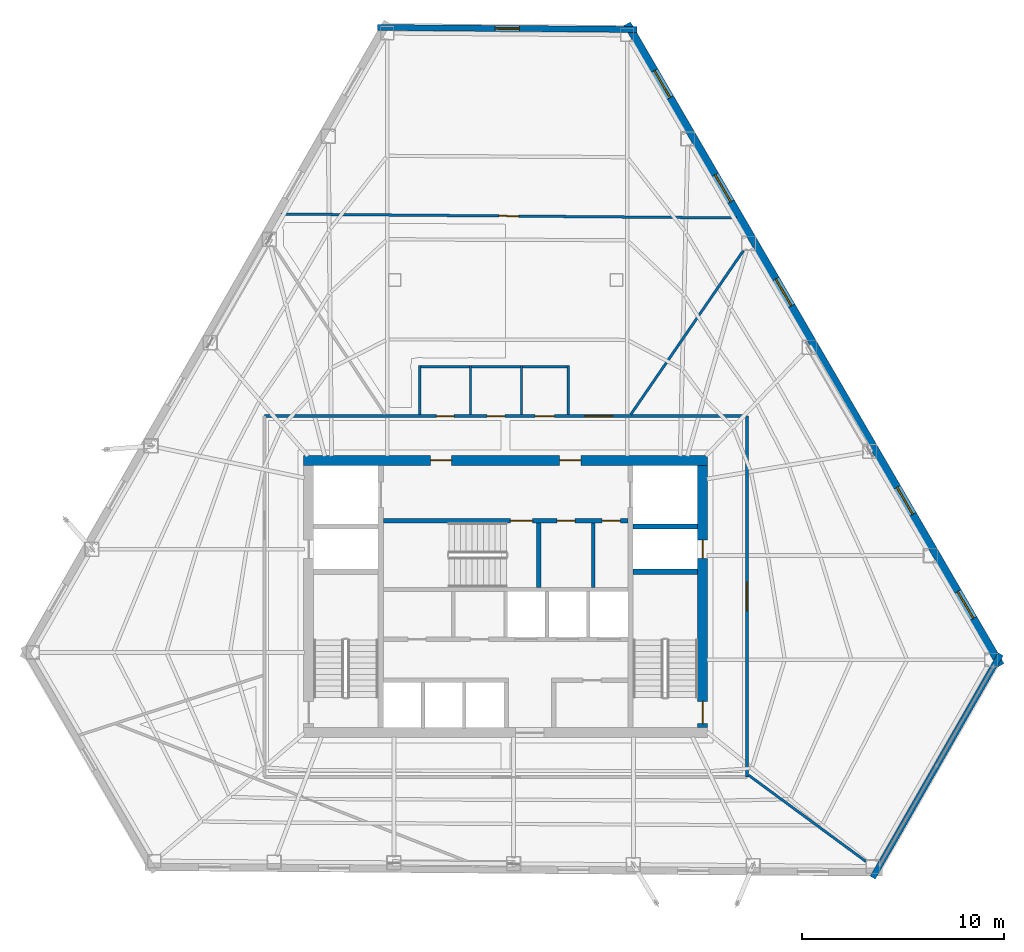
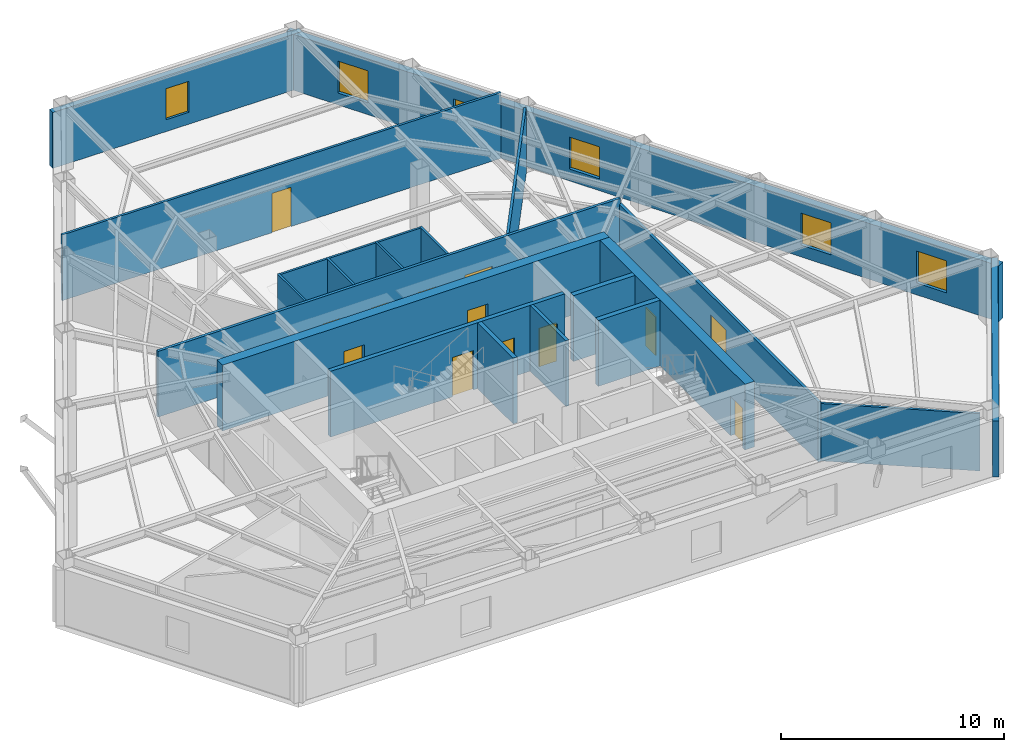
# One storey, part 10 of 13: 20 walls, 13 doors, 6 windows, 19 openings.
"""IFC4 building model written with IfcOpenShell, lengths in metres."""

from ifc_helpers import new_model, si_unit, direction, frame, frame_2d, origin, place, context, subcontext, project, spatial, rectangle, extrude, material, layer, layer_set, type_object, element, fill, save


model = new_model("IFC4")

# Units and contexts
model_context = context("Model", 3, precision=1e-05, world=origin(), true_north=direction((0.0, 1.0)))
body_context = subcontext(model_context, "Body", "Model", "MODEL_VIEW")
ifc_project = project(units=[si_unit("LENGTHUNIT", "METRE"), si_unit("AREAUNIT", "SQUARE_METRE"), si_unit("VOLUMEUNIT", "CUBIC_METRE"), si_unit("PLANEANGLEUNIT", "RADIAN"), si_unit("MASSUNIT", "GRAM", prefix="KILO")], contexts=[model_context])

# Site, building, storey
site_placement = place(None, origin())
site = spatial("IfcSite", under=ifc_project, at=site_placement, CompositionType="ELEMENT")
building_placement = place(site_placement, origin())
building = spatial("IfcBuilding", under=site, at=building_placement, Name="Kavelnor Concourse Tower", CompositionType="ELEMENT")
storey_placement = place(building_placement, frame((0.0, 0.0, 116.300048828125)))
storey = spatial("IfcBuildingStorey", under=building, at=storey_placement, Name="L29", CompositionType="ELEMENT", Elevation=116.300048828125)

# Wall, openings, doors
ifc_material_1 = material(Name="Concrete C60/75", Category="concrete")
ifc_layer_1 = layer(ifc_material_1, 0.5, Name="Concrete C60/75")
ifc_layer_set_1 = layer_set([ifc_layer_1], Name="Concrete C60/75")
wall_type_1 = type_object("IfcWallType", Name="WL-CORE-Z2-500", PredefinedType="SOLIDWALL", material=ifc_layer_set_1)
wall_1_placement = place(storey_placement, frame((27.97998046875, 22.85009765625, 0.0), z_axis=(0.0, 0.0, 1.0), x_axis=(1.0, 0.0, 0.0)))
wall_1 = element("IfcWall", 1, at=wall_1_placement, inside=storey, type_object=wall_type_1, Name="L29 Central Core North Shear Wall", PredefinedType="SOLIDWALL", context=body_context, shape_type="SweptSolid", body=[
    extrude(rectangle(XDim=20.0400390625, YDim=0.5, at=frame_2d((10.02001953125, 0.0))), origin(), (0.0, 0.0, 1.0), 3.599853515625),
])
opening_1_placement = place(wall_1_placement, frame((6.294921875, 0.0, 0.0)))
opening_1 = element("IfcOpeningElement", 2, at=opening_1_placement, cuts=wall_1, Name="Opening FD-105", PredefinedType="OPENING", context=body_context, shape_type="SweptSolid", body=[
    extrude(rectangle(XDim=1.050048828125, YDim=2.14990234375, at=frame_2d((0.52490234375, 1.074951171875))), frame((0.0, 0.260009765625, 0.0), z_axis=(0.0, -1.0, 0.0), x_axis=(1.0, 0.0, 0.0)), (0.0, 0.0, 1.0), 0.52001953125),
])
opening_2_placement = place(wall_1_placement, frame((12.695068359375, 0.0, 0.0)))
opening_2 = element("IfcOpeningElement", 3, at=opening_2_placement, cuts=wall_1, Name="Opening FD-105", PredefinedType="OPENING", context=body_context, shape_type="SweptSolid", body=[
    extrude(rectangle(XDim=1.050048828125, YDim=2.14990234375, at=frame_2d((0.52490234375, 1.074951171875))), frame((0.0, 0.260009765625, 0.0), z_axis=(0.0, -1.0, 0.0), x_axis=(1.0, 0.0, 0.0)), (0.0, 0.0, 1.0), 0.52001953125),
])
ifc_material_2 = material(Name="Steel Grade 350", Category="steel")
door_type_1 = type_object("IfcDoorType", Name="DR-LOBBY-FIRE-1050", OperationType="NOTDEFINED", PredefinedType="DOOR", material=ifc_material_2)
door_1_placement = place(opening_1_placement, origin())
door_1 = element("IfcDoor", 4, at=door_1_placement, inside=storey, type_object=door_type_1, Name="L29 Emergency Lift Lobby West Door", OperationType="SINGLE_SWING_LEFT", OverallHeight=2.14990234375, OverallWidth=1.050048828125, PredefinedType="DOOR", context=body_context, shape_type="SweptSolid", body=[
    extrude(rectangle(XDim=1.050048828125, YDim=2.14990234375, at=frame_2d((0.52490234375, 1.074951171875))), frame((0.0, 0.02490234375, 0.0), z_axis=(0.0, -1.0, 0.0), x_axis=(1.0, 0.0, 0.0)), (0.0, 0.0, 1.0), 0.050048828125),
])
fill(opening_1, door_1)
door_2_placement = place(opening_2_placement, origin())
door_2 = element("IfcDoor", 5, at=door_2_placement, inside=storey, type_object=door_type_1, Name="L29 Emergency Lift Lobby East Door", OperationType="SINGLE_SWING_RIGHT", OverallHeight=2.14990234375, OverallWidth=1.050048828125, PredefinedType="DOOR", context=body_context, shape_type="SweptSolid", body=[
    extrude(rectangle(XDim=1.050048828125, YDim=2.14990234375, at=frame_2d((0.52490234375, 1.074951171875))), frame((0.0, 0.02490234375, 0.0), z_axis=(0.0, -1.0, 0.0), x_axis=(1.0, 0.0, 0.0)), (0.0, 0.0, 1.0), 0.050048828125),
])
fill(opening_2, door_2)

wall_2_placement = place(storey_placement, frame((47.77001953125, 9.60009765625, 0.0), z_axis=(0.0, 0.0, 1.0), x_axis=(0.0, 1.0, 0.0)))
wall_2 = element("IfcWall", 6, at=wall_2_placement, inside=storey, type_object=wall_type_1, Name="L29 Central Core East Shear Wall", PredefinedType="SOLIDWALL", context=body_context, shape_type="SweptSolid", body=[
    extrude(rectangle(XDim=13.0, YDim=0.5, at=frame_2d((6.5, 0.0))), origin(), (0.0, 0.0, 1.0), 3.599853515625),
])
opening_3_placement = place(wall_2_placement, frame((0.199951171875, 0.0, 0.0)))
opening_3 = element("IfcOpeningElement", 7, at=opening_3_placement, cuts=wall_2, Name="Opening FD-110", PredefinedType="OPENING", context=body_context, shape_type="SweptSolid", body=[
    extrude(rectangle(XDim=1.10009765625, YDim=2.14990234375, at=frame_2d((0.550048828125, 1.074951171875))), frame((0.0, 0.260009765625, 0.0), z_axis=(0.0, -1.0, 0.0), x_axis=(1.0, 0.0, 0.0)), (0.0, 0.0, 1.0), 0.52001953125),
])
opening_4_placement = place(wall_2_placement, frame((8.39990234375, 0.0, 0.0)))
opening_4 = element("IfcOpeningElement", 8, at=opening_4_placement, cuts=wall_2, Name="Opening FD-090", PredefinedType="OPENING", context=body_context, shape_type="SweptSolid", body=[
    extrude(rectangle(XDim=0.89990234375, YDim=2.10009765625, at=frame_2d((0.449951171875, 1.050048828125))), frame((0.0, 0.260009765625, 0.0), z_axis=(0.0, -1.0, 0.0), x_axis=(1.0, 0.0, 0.0)), (0.0, 0.0, 1.0), 0.52001953125),
])
door_type_2 = type_object("IfcDoorType", Name="DR-RISER-FIRE-900", OperationType="NOTDEFINED", PredefinedType="DOOR", material=ifc_material_2)
door_3_placement = place(opening_4_placement, origin())
door_3 = element("IfcDoor", 9, at=door_3_placement, inside=storey, type_object=door_type_2, Name="L29 East Riser Access Door", OperationType="SINGLE_SWING_LEFT", OverallHeight=2.10009765625, OverallWidth=0.89990234375, PredefinedType="DOOR", context=body_context, shape_type="SweptSolid", body=[
    extrude(rectangle(XDim=0.89990234375, YDim=2.10009765625, at=frame_2d((0.449951171875, 1.050048828125))), frame((0.0, 0.02490234375, 0.0), z_axis=(0.0, -1.0, 0.0), x_axis=(1.0, 0.0, 0.0)), (0.0, 0.0, 1.0), 0.050048828125),
])
fill(opening_4, door_3)
door_type_3 = type_object("IfcDoorType", Name="DR-STAIR-FIRE-1100", OperationType="NOTDEFINED", PredefinedType="DOOR", material=ifc_material_2)
door_4_placement = place(opening_3_placement, origin())
door_4 = element("IfcDoor", 10, at=door_4_placement, inside=storey, type_object=door_type_3, Name="L29 Stair ST2 Fire Door", OperationType="SINGLE_SWING_RIGHT", OverallHeight=2.14990234375, OverallWidth=1.10009765625, PredefinedType="DOOR", context=body_context, shape_type="SweptSolid", body=[
    extrude(rectangle(XDim=1.10009765625, YDim=2.14990234375, at=frame_2d((0.550048828125, 1.074951171875))), frame((0.0, 0.02490234375, 0.0), z_axis=(0.0, -1.0, 0.0), x_axis=(1.0, 0.0, 0.0)), (0.0, 0.0, 1.0), 0.050048828125),
])
fill(opening_3, door_4)

# Wall, opening, window
ifc_material_3 = material(Name="Buff ironspot clay face brick masonry", Category="masonry")
ifc_layer_2 = layer(ifc_material_3, 0.300048828125, Name="Buff ironspot clay face brick masonry")
ifc_layer_set_2 = layer_set([ifc_layer_2], Name="Buff ironspot clay face brick masonry")
wall_type_2 = type_object("IfcWallType", Name="WL-EXT-BUFF-BRICK-FOLD-300", PredefinedType="STANDARD", material=ifc_layer_set_2)
wall_3_placement = place(storey_placement, frame((31.653564453125, 44.322998046875, 0.0), z_axis=(0.0, 0.0, 1.0), x_axis=(0.999972269461, -0.007447167901, 0.0)))
wall_3 = element("IfcWall", 11, at=wall_3_placement, inside=storey, type_object=wall_type_2, Name="L29 Exterior Brick Facade Wall E0", PredefinedType="STANDARD", context=body_context, shape_type="SweptSolid", body=[
    extrude(rectangle(XDim=12.850830078125, YDim=0.300048828125, at=frame_2d((6.42529296875, 0.0))), origin(), (0.0, 0.0, 1.0), 3.058837890625),
])
opening_5_placement = place(wall_3_placement, frame((5.825439453125, 0.0, 0.64990234375)))
opening_5 = element("IfcOpeningElement", 12, at=opening_5_placement, cuts=wall_3, Name="Opening W-05", PredefinedType="OPENING", context=body_context, shape_type="SweptSolid", body=[
    extrude(rectangle(XDim=1.199951171875, YDim=1.699951171875, at=frame_2d((0.60009765625, 0.85009765625))), frame((0.0, 0.16015625, 0.0), z_axis=(0.0, -1.0, 0.0), x_axis=(1.0, 0.0, 0.0)), (0.0, 0.0, 1.0), 0.320068359375),
])
ifc_material_4 = material(Name="Double low-E argon insulated glazing", Category="glass")
window_type_1 = type_object("IfcWindowType", Name="WIN-FOLD-1200", PartitioningType="SINGLE_PANEL", PredefinedType="WINDOW", material=ifc_material_4)
window_1_placement = place(opening_5_placement, origin())
window_1 = element("IfcWindow", 13, at=window_1_placement, inside=storey, type_object=window_type_1, Name="L29 Chamfer-Fold Facet Window C0", OverallHeight=1.699951171875, OverallWidth=1.199951171875, PartitioningType="SINGLE_PANEL", PredefinedType="WINDOW", context=body_context, shape_type="SweptSolid", body=[
    extrude(rectangle(XDim=1.199951171875, YDim=1.699951171875, at=frame_2d((0.60009765625, 0.85009765625))), frame((0.0, 0.030029296875, 0.0), z_axis=(0.0, -1.0, 0.0), x_axis=(1.0, 0.0, 0.0)), (0.0, 0.0, 1.0), 0.06005859375),
])
fill(opening_5, window_1)

# Wall
wall_4_placement = place(storey_placement, frame((62.548583984375, 13.245361328125, 0.0), z_axis=(0.0, 0.0, 1.0), x_axis=(-0.496756464257, -0.867889978752, 0.0)))
element("IfcWall", 14, at=wall_4_placement, inside=storey, type_object=wall_type_2, Name="L29 Exterior Brick Facade Wall E4", PredefinedType="STANDARD", context=body_context, shape_type="SweptSolid", body=[
    extrude(rectangle(XDim=12.770263671875, YDim=0.300048828125, at=frame_2d((6.38525390625, 0.0))), origin(), (0.0, 0.0, 1.0), 3.058837890625),
])

# Wall, openings, windows
ifc_material_5 = material(Name="Red-ochre clay face brick masonry", Category="masonry")
ifc_layer_3 = layer(ifc_material_5, 0.3798828125, Name="Red-ochre clay face brick masonry")
ifc_layer_set_3 = layer_set([ifc_layer_3], Name="Red-ochre clay face brick masonry")
wall_type_3 = type_object("IfcWallType", Name="WL-EXT-RED-BRICK-PIER-380", PredefinedType="STANDARD", material=ifc_layer_set_3)
wall_5_placement = place(storey_placement, frame((44.023681640625, 44.505859375, 0.0), z_axis=(0.0, 0.0, 1.0), x_axis=(0.503202137133, -0.864168738838, 0.0)))
wall_5 = element("IfcWall", 15, at=wall_5_placement, inside=storey, type_object=wall_type_3, Name="L29 Exterior Brick Facade Wall E5", PredefinedType="STANDARD", context=body_context, shape_type="SweptSolid", body=[
    extrude(rectangle(XDim=36.81787109375, YDim=0.3798828125, at=frame_2d((18.408935546875, 0.0))), origin(), (0.0, 0.0, 1.0), 3.058837890625),
])
opening_6_placement = place(wall_5_placement, frame((32.5771484375, 0.0, 0.64990234375)))
opening_6 = element("IfcOpeningElement", 16, at=opening_6_placement, cuts=wall_5, Name="Opening W-02", PredefinedType="OPENING", context=body_context, shape_type="SweptSolid", body=[
    extrude(rectangle(XDim=1.550048828125, YDim=1.75, at=frame_2d((0.77490234375, 0.875))), frame((0.0, 0.199951171875, 0.0), z_axis=(0.0, -1.0, 0.0), x_axis=(1.0, 0.0, 0.0)), (0.0, 0.0, 1.0), 0.39990234375),
])
opening_7_placement = place(wall_5_placement, frame((26.59912109375, 0.0, 0.64990234375)))
opening_7 = element("IfcOpeningElement", 17, at=opening_7_placement, cuts=wall_5, Name="Opening W-02", PredefinedType="OPENING", context=body_context, shape_type="SweptSolid", body=[
    extrude(rectangle(XDim=1.550048828125, YDim=1.75, at=frame_2d((0.77490234375, 0.875))), frame((0.0, 0.199951171875, 0.0), z_axis=(0.0, -1.0, 0.0), x_axis=(1.0, 0.0, 0.0)), (0.0, 0.0, 1.0), 0.39990234375),
])
opening_8_placement = place(wall_5_placement, frame((14.643310546875, 0.0, 0.64990234375)))
opening_8 = element("IfcOpeningElement", 18, at=opening_8_placement, cuts=wall_5, Name="Opening W-02", PredefinedType="OPENING", context=body_context, shape_type="SweptSolid", body=[
    extrude(rectangle(XDim=1.550048828125, YDim=1.75, at=frame_2d((0.77490234375, 0.875))), frame((0.0, 0.199951171875, 0.0), z_axis=(0.0, -1.0, 0.0), x_axis=(1.0, 0.0, 0.0)), (0.0, 0.0, 1.0), 0.39990234375),
])
opening_9_placement = place(wall_5_placement, frame((8.665283203125, 0.0, 0.64990234375)))
opening_9 = element("IfcOpeningElement", 19, at=opening_9_placement, cuts=wall_5, Name="Opening W-02", PredefinedType="OPENING", context=body_context, shape_type="SweptSolid", body=[
    extrude(rectangle(XDim=1.550048828125, YDim=1.75, at=frame_2d((0.77490234375, 0.875))), frame((0.0, 0.199951171875, 0.0), z_axis=(0.0, -1.0, 0.0), x_axis=(1.0, 0.0, 0.0)), (0.0, 0.0, 1.0), 0.39990234375),
])
opening_10_placement = place(wall_5_placement, frame((2.6875, 0.0, 0.64990234375)))
opening_10 = element("IfcOpeningElement", 20, at=opening_10_placement, cuts=wall_5, Name="Opening W-02", PredefinedType="OPENING", context=body_context, shape_type="SweptSolid", body=[
    extrude(rectangle(XDim=1.550048828125, YDim=1.75, at=frame_2d((0.77490234375, 0.875))), frame((0.0, 0.199951171875, 0.0), z_axis=(0.0, -1.0, 0.0), x_axis=(1.0, 0.0, 0.0)), (0.0, 0.0, 1.0), 0.39990234375),
])
window_type_2 = type_object("IfcWindowType", Name="WIN-PIER-Z2-1650", PartitioningType="SINGLE_PANEL", PredefinedType="WINDOW", material=ifc_material_4)
window_2_placement = place(opening_6_placement, origin())
window_2 = element("IfcWindow", 21, at=window_2_placement, inside=storey, type_object=window_type_2, Name="L29 Deep-Set Brick Pier Window F2-B0", OverallHeight=1.75, OverallWidth=1.550048828125, PartitioningType="SINGLE_PANEL", PredefinedType="WINDOW", context=body_context, shape_type="SweptSolid", body=[
    extrude(rectangle(XDim=1.550048828125, YDim=1.75, at=frame_2d((0.77490234375, 0.875))), frame((0.0, 0.030029296875, 0.0), z_axis=(0.0, -1.0, 0.0), x_axis=(1.0, 0.0, 0.0)), (0.0, 0.0, 1.0), 0.06005859375),
])
fill(opening_6, window_2)
window_3_placement = place(opening_7_placement, origin())
window_3 = element("IfcWindow", 22, at=window_3_placement, inside=storey, type_object=window_type_2, Name="L29 Deep-Set Brick Pier Window F2-B1", OverallHeight=1.75, OverallWidth=1.550048828125, PartitioningType="SINGLE_PANEL", PredefinedType="WINDOW", context=body_context, shape_type="SweptSolid", body=[
    extrude(rectangle(XDim=1.550048828125, YDim=1.75, at=frame_2d((0.77490234375, 0.875))), frame((0.0, 0.030029296875, 0.0), z_axis=(0.0, -1.0, 0.0), x_axis=(1.0, 0.0, 0.0)), (0.0, 0.0, 1.0), 0.06005859375),
])
fill(opening_7, window_3)
window_4_placement = place(opening_8_placement, origin())
window_4 = element("IfcWindow", 23, at=window_4_placement, inside=storey, type_object=window_type_2, Name="L29 Deep-Set Brick Pier Window F2-B3", OverallHeight=1.75, OverallWidth=1.550048828125, PartitioningType="SINGLE_PANEL", PredefinedType="WINDOW", context=body_context, shape_type="SweptSolid", body=[
    extrude(rectangle(XDim=1.550048828125, YDim=1.75, at=frame_2d((0.77490234375, 0.875))), frame((0.0, 0.030029296875, 0.0), z_axis=(0.0, -1.0, 0.0), x_axis=(1.0, 0.0, 0.0)), (0.0, 0.0, 1.0), 0.06005859375),
])
fill(opening_8, window_4)
window_5_placement = place(opening_9_placement, origin())
window_5 = element("IfcWindow", 24, at=window_5_placement, inside=storey, type_object=window_type_2, Name="L29 Deep-Set Brick Pier Window F2-B4", OverallHeight=1.75, OverallWidth=1.550048828125, PartitioningType="SINGLE_PANEL", PredefinedType="WINDOW", context=body_context, shape_type="SweptSolid", body=[
    extrude(rectangle(XDim=1.550048828125, YDim=1.75, at=frame_2d((0.77490234375, 0.875))), frame((0.0, 0.030029296875, 0.0), z_axis=(0.0, -1.0, 0.0), x_axis=(1.0, 0.0, 0.0)), (0.0, 0.0, 1.0), 0.06005859375),
])
fill(opening_9, window_5)
window_6_placement = place(opening_10_placement, origin())
window_6 = element("IfcWindow", 25, at=window_6_placement, inside=storey, type_object=window_type_2, Name="L29 Deep-Set Brick Pier Window F2-B5", OverallHeight=1.75, OverallWidth=1.550048828125, PartitioningType="SINGLE_PANEL", PredefinedType="WINDOW", context=body_context, shape_type="SweptSolid", body=[
    extrude(rectangle(XDim=1.550048828125, YDim=1.75, at=frame_2d((0.77490234375, 0.875))), frame((0.0, 0.030029296875, 0.0), z_axis=(0.0, -1.0, 0.0), x_axis=(1.0, 0.0, 0.0)), (0.0, 0.0, 1.0), 0.06005859375),
])
fill(opening_10, window_6)

# Wall, opening, door
ifc_material_6 = material(Name="Gypsum plasterboard on light-gauge steel studs", Category="steel")
ifc_layer_4 = layer(ifc_material_6, 0.14501953125, Name="Gypsum plasterboard on light-gauge steel studs")
ifc_layer_set_4 = layer_set([ifc_layer_4], Name="Gypsum plasterboard on light-gauge steel studs")
wall_type_4 = type_object("IfcWallType", Name="WL-INT-CORR-145", PredefinedType="PARTITIONING", material=ifc_layer_set_4)
wall_6_placement = place(storey_placement, frame((49.969970703125, 7.14990234375, 0.0), z_axis=(0.0, 0.0, 1.0), x_axis=(0.0, 1.0, 0.0)))
wall_6 = element("IfcWall", 26, at=wall_6_placement, inside=storey, type_object=wall_type_4, Name="L29 Corridor Wall WL-L29-CR-01", PredefinedType="PARTITIONING", context=body_context, shape_type="SweptSolid", body=[
    extrude(rectangle(XDim=17.900146484375, YDim=0.14501953125, at=frame_2d((8.9501953125, 0.0))), origin(), (0.0, 0.0, 1.0), 3.287841796875),
])
opening_11_placement = place(wall_6_placement, frame((8.25, 0.0, 0.0)))
opening_11 = element("IfcOpeningElement", 27, at=opening_11_placement, cuts=wall_6, Name="Opening SD-140", PredefinedType="OPENING", context=body_context, shape_type="SweptSolid", body=[
    extrude(rectangle(XDim=1.39990234375, YDim=2.199951171875, at=frame_2d((0.699951171875, 1.10009765625))), frame((0.0, 0.08251953125, 0.0), z_axis=(0.0, -1.0, 0.0), x_axis=(1.0, 0.0, 0.0)), (0.0, 0.0, 1.0), 0.1650390625),
])
ifc_material_7 = material(Name="Solid-core hardwood timber", Category="wood")
door_type_4 = type_object("IfcDoorType", Name="DR-SUITE-ENTRY-1400", OperationType="NOTDEFINED", PredefinedType="DOOR", material=ifc_material_7)
door_5_placement = place(opening_11_placement, origin())
door_5 = element("IfcDoor", 28, at=door_5_placement, inside=storey, type_object=door_type_4, Name="L29 Client Concierge 01 Door", OperationType="SINGLE_SWING_LEFT", OverallHeight=2.199951171875, OverallWidth=1.39990234375, PredefinedType="DOOR", context=body_context, shape_type="SweptSolid", body=[
    extrude(rectangle(XDim=1.39990234375, YDim=2.199951171875, at=frame_2d((0.699951171875, 1.10009765625))), frame((0.0, 0.02490234375, 0.0), z_axis=(0.0, -1.0, 0.0), x_axis=(1.0, 0.0, 0.0)), (0.0, 0.0, 1.0), 0.050048828125),
])
fill(opening_11, door_5)

# Wall, openings, doors
wall_7_placement = place(storey_placement, frame((49.969970703125, 25.050048828125, 0.0), z_axis=(0.0, 0.0, 1.0), x_axis=(-1.0, 0.0, 0.0)))
wall_7 = element("IfcWall", 29, at=wall_7_placement, inside=storey, type_object=wall_type_4, Name="L29 Corridor Wall WL-L29-CR-02", PredefinedType="PARTITIONING", context=body_context, shape_type="SweptSolid", body=[
    extrude(rectangle(XDim=23.93994140625, YDim=0.14501953125, at=frame_2d((11.969970703125, 0.0))), origin(), (0.0, 0.0, 1.0), 3.599853515625),
])
opening_12_placement = place(wall_7_placement, frame((14.530029296875, 0.0, 0.0)))
opening_12 = element("IfcOpeningElement", 30, at=opening_12_placement, cuts=wall_7, Name="Opening WD-088", PredefinedType="OPENING", context=body_context, shape_type="SweptSolid", body=[
    extrude(rectangle(XDim=0.8798828125, YDim=2.10009765625, at=frame_2d((0.43994140625, 1.050048828125))), frame((0.0, 0.08251953125, 0.0), z_axis=(0.0, -1.0, 0.0), x_axis=(1.0, 0.0, 0.0)), (0.0, 0.0, 1.0), 0.1650390625),
])
opening_13_placement = place(wall_7_placement, frame((12.010009765625, 0.0, 0.0)))
opening_13 = element("IfcOpeningElement", 31, at=opening_13_placement, cuts=wall_7, Name="Opening WD-088", PredefinedType="OPENING", context=body_context, shape_type="SweptSolid", body=[
    extrude(rectangle(XDim=0.8798828125, YDim=2.10009765625, at=frame_2d((0.43994140625, 1.050048828125))), frame((0.0, 0.08251953125, 0.0), z_axis=(0.0, -1.0, 0.0), x_axis=(1.0, 0.0, 0.0)), (0.0, 0.0, 1.0), 0.1650390625),
])
opening_14_placement = place(wall_7_placement, frame((9.550048828125, 0.0, 0.0)))
opening_14 = element("IfcOpeningElement", 32, at=opening_14_placement, cuts=wall_7, Name="Opening WD-096", PredefinedType="OPENING", context=body_context, shape_type="SweptSolid", body=[
    extrude(rectangle(XDim=0.9599609375, YDim=2.10009765625, at=frame_2d((0.47998046875, 1.050048828125))), frame((0.0, 0.08251953125, 0.0), z_axis=(0.0, -1.0, 0.0), x_axis=(1.0, 0.0, 0.0)), (0.0, 0.0, 1.0), 0.1650390625),
])
opening_15_placement = place(wall_7_placement, frame((6.6494140625, 0.0, 0.0)))
opening_15 = element("IfcOpeningElement", 33, at=opening_15_placement, cuts=wall_7, Name="Opening SD-140", PredefinedType="OPENING", context=body_context, shape_type="SweptSolid", body=[
    extrude(rectangle(XDim=1.39990234375, YDim=2.199951171875, at=frame_2d((0.699951171875, 1.10009765625))), frame((0.0, 0.08251953125, 0.0), z_axis=(0.0, -1.0, 0.0), x_axis=(1.0, 0.0, 0.0)), (0.0, 0.0, 1.0), 0.1650390625),
])
door_6_placement = place(opening_15_placement, origin())
door_6 = element("IfcDoor", 34, at=door_6_placement, inside=storey, type_object=door_type_4, Name="L29 Workplace Open Office 02 Door", OperationType="SINGLE_SWING_RIGHT", OverallHeight=2.199951171875, OverallWidth=1.39990234375, PredefinedType="DOOR", context=body_context, shape_type="SweptSolid", body=[
    extrude(rectangle(XDim=1.39990234375, YDim=2.199951171875, at=frame_2d((0.699951171875, 1.10009765625))), frame((0.0, 0.02490234375, 0.0), z_axis=(0.0, -1.0, 0.0), x_axis=(1.0, 0.0, 0.0)), (0.0, 0.0, 1.0), 0.050048828125),
])
fill(opening_15, door_6)
door_type_5 = type_object("IfcDoorType", Name="DR-WC-ACC-960", OperationType="NOTDEFINED", PredefinedType="DOOR", material=ifc_material_7)
door_7_placement = place(opening_14_placement, origin())
door_7 = element("IfcDoor", 35, at=door_7_placement, inside=storey, type_object=door_type_5, Name="L29 Accessible WC Door", OperationType="SINGLE_SWING_RIGHT", OverallHeight=2.10009765625, OverallWidth=0.9599609375, PredefinedType="DOOR", context=body_context, shape_type="SweptSolid", body=[
    extrude(rectangle(XDim=0.9599609375, YDim=2.10009765625, at=frame_2d((0.47998046875, 1.050048828125))), frame((0.0, 0.02490234375, 0.0), z_axis=(0.0, -1.0, 0.0), x_axis=(1.0, 0.0, 0.0)), (0.0, 0.0, 1.0), 0.050048828125),
])
fill(opening_14, door_7)
door_type_6 = type_object("IfcDoorType", Name="DR-WC-STD-880", OperationType="NOTDEFINED", PredefinedType="DOOR", material=ifc_material_7)
door_8_placement = place(opening_12_placement, origin())
door_8 = element("IfcDoor", 36, at=door_8_placement, inside=storey, type_object=door_type_6, Name="L29 Male WC Door", OperationType="SINGLE_SWING_RIGHT", OverallHeight=2.10009765625, OverallWidth=0.8798828125, PredefinedType="DOOR", context=body_context, shape_type="SweptSolid", body=[
    extrude(rectangle(XDim=0.8798828125, YDim=2.10009765625, at=frame_2d((0.43994140625, 1.050048828125))), frame((0.0, 0.02490234375, 0.0), z_axis=(0.0, -1.0, 0.0), x_axis=(1.0, 0.0, 0.0)), (0.0, 0.0, 1.0), 0.050048828125),
])
fill(opening_12, door_8)
door_9_placement = place(opening_13_placement, origin())
door_9 = element("IfcDoor", 37, at=door_9_placement, inside=storey, type_object=door_type_6, Name="L29 Female WC Door", OperationType="SINGLE_SWING_LEFT", OverallHeight=2.10009765625, OverallWidth=0.8798828125, PredefinedType="DOOR", context=body_context, shape_type="SweptSolid", body=[
    extrude(rectangle(XDim=0.8798828125, YDim=2.10009765625, at=frame_2d((0.43994140625, 1.050048828125))), frame((0.0, 0.02490234375, 0.0), z_axis=(0.0, -1.0, 0.0), x_axis=(1.0, 0.0, 0.0)), (0.0, 0.0, 1.0), 0.050048828125),
])
fill(opening_13, door_9)

# Walls
ifc_layer_5 = layer(ifc_material_6, 0.1650390625, Name="Gypsum plasterboard on light-gauge steel studs")
ifc_layer_set_5 = layer_set([ifc_layer_5], Name="Gypsum plasterboard on light-gauge steel studs")
wall_type_5 = type_object("IfcWallType", Name="WL-INT-FIRE-165", PredefinedType="PARTITIONING", material=ifc_layer_set_5)
wall_8_placement = place(storey_placement, frame((42.35009765625, 16.56005859375, 0.0), z_axis=(0.0, 0.0, 1.0), x_axis=(0.0, 1.0, 0.0)))
element("IfcWall", 38, at=wall_8_placement, inside=storey, type_object=wall_type_5, Name="L29 Core Support Asymmetric Divider", PredefinedType="PARTITIONING", context=body_context, shape_type="SweptSolid", body=[
    extrude(rectangle(XDim=3.199951171875, YDim=0.1650390625, at=frame_2d((1.60009765625, 0.0))), origin(), (0.0, 0.0, 1.0), 3.599853515625),
])
ifc_layer_6 = layer(ifc_material_6, 0.125, Name="Gypsum plasterboard on light-gauge steel studs")
ifc_layer_set_6 = layer_set([ifc_layer_6], Name="Gypsum plasterboard on light-gauge steel studs")
wall_type_6 = type_object("IfcWallType", Name="WL-INT-SUITE-125", PredefinedType="PARTITIONING", material=ifc_layer_set_6)
wall_9_placement = place(storey_placement, frame((44.205078125, 25.130615234375, 0.0), z_axis=(0.0, 0.0, 1.0), x_axis=(0.566341849748, 0.824170437, 0.0)))
element("IfcWall", 39, at=wall_9_placement, inside=storey, type_object=wall_type_6, Name="L29 Radial Suite Partition 01", PredefinedType="PARTITIONING", context=body_context, shape_type="SweptSolid", body=[
    extrude(rectangle(XDim=9.864990234375, YDim=0.125, at=frame_2d((4.9326171875, 0.0))), origin(), (0.0, 0.0, 1.0), 3.599853515625),
])
wall_10_placement = place(storey_placement, frame((50.050537109375, 7.2412109375, 0.0), z_axis=(0.0, 0.0, 1.0), x_axis=(0.805695201487, -0.592330348961, 0.0)))
element("IfcWall", 40, at=wall_10_placement, inside=storey, type_object=wall_type_6, Name="L29 Radial Suite Partition 04", PredefinedType="PARTITIONING", context=body_context, shape_type="SweptSolid", body=[
    extrude(rectangle(XDim=7.212158203125, YDim=0.125, at=frame_2d((3.60595703125, 0.0))), origin(), (0.0, 0.0, 1.0), 3.140869140625),
])

# Wall, opening, door
wall_11_placement = place(storey_placement, frame((49.45703125, 34.876708984375, 0.0), z_axis=(0.0, 0.0, 1.0), x_axis=(-0.99996313072, 0.008587036757, 0.0)))
wall_11 = element("IfcWall", 41, at=wall_11_placement, inside=storey, type_object=wall_type_6, Name="L29 Suite Subdivision Partition 02", PredefinedType="PARTITIONING", context=body_context, shape_type="SweptSolid", body=[
    extrude(rectangle(XDim=22.602783203125, YDim=0.125, at=frame_2d((11.30126953125, 0.0))), origin(), (0.0, 0.0, 1.0), 3.599853515625),
])
opening_16_placement = place(wall_11_placement, frame((10.811279296875, 0.0, 0.0)))
opening_16 = element("IfcOpeningElement", 42, at=opening_16_placement, cuts=wall_11, Name="Opening OD-098", PredefinedType="OPENING", context=body_context, shape_type="SweptSolid", body=[
    extrude(rectangle(XDim=0.97998046875, YDim=2.14990234375, at=frame_2d((0.489990234375, 1.074951171875))), frame((0.0, 0.072509765625, 0.0), z_axis=(0.0, -1.0, 0.0), x_axis=(1.0, 0.0, 0.0)), (0.0, 0.0, 1.0), 0.14501953125),
])
door_type_7 = type_object("IfcDoorType", Name="DR-OFFICE-980", OperationType="NOTDEFINED", PredefinedType="DOOR", material=ifc_material_7)
door_10_placement = place(opening_16_placement, origin())
door_10 = element("IfcDoor", 43, at=door_10_placement, inside=storey, type_object=door_type_7, Name="L29 Executive Dining Room 03 Door", OperationType="SINGLE_SWING_LEFT", OverallHeight=2.14990234375, OverallWidth=0.97998046875, PredefinedType="DOOR", context=body_context, shape_type="SweptSolid", body=[
    extrude(rectangle(XDim=0.97998046875, YDim=2.14990234375, at=frame_2d((0.489990234375, 1.074951171875))), frame((0.0, 0.02490234375, 0.0), z_axis=(0.0, -1.0, 0.0), x_axis=(1.0, 0.0, 0.0)), (0.0, 0.0, 1.0), 0.050048828125),
])
fill(opening_16, door_10)

# Walls
ifc_layer_7 = layer(ifc_material_6, 0.110107421875, Name="Gypsum plasterboard on light-gauge steel studs")
ifc_layer_set_7 = layer_set([ifc_layer_7], Name="Gypsum plasterboard on light-gauge steel studs")
wall_type_7 = type_object("IfcWallType", Name="WL-INT-WC-110", PredefinedType="PLUMBINGWALL", material=ifc_layer_set_7)
for number, where, z_axis, x_axis, name in (
    (44, (33.739990234375, 25.1201171875, 0.0), (0.0, 0.0, 1.0), (0.0, 1.0, 0.0), "L29 Sanitary Partition WL-L29-WC-W"),
    (45, (36.260009765625, 25.1201171875, 0.0), (0.0, 0.0, 1.0), (0.0, 1.0, 0.0), "L29 Sanitary Partition WL-L29-WC-D1"),
    (46, (38.780029296875, 25.1201171875, 0.0), (0.0, 0.0, 1.0), (0.0, 1.0, 0.0), "L29 Sanitary Partition WL-L29-WC-D2"),
    (47, (41.10009765625, 25.1201171875, 0.0), (0.0, 0.0, 1.0), (0.0, 1.0, 0.0), "L29 Sanitary Partition WL-L29-WC-E"),
):
    element("IfcWall", number, at=place(storey_placement, frame(where, z_axis=z_axis, x_axis=x_axis)), inside=storey, type_object=wall_type_7, Name=name, PredefinedType="PLUMBINGWALL", context=body_context, shape_type="SweptSolid", body=[
        extrude(rectangle(XDim=2.43994140625, YDim=0.110107421875, at=frame_2d((1.219970703125, 0.0))), origin(), (0.0, 0.0, 1.0), 3.599853515625),
    ])
wall_12_placement = place(storey_placement, frame((33.68994140625, 27.5, 0.0), z_axis=(0.0, 0.0, 1.0), x_axis=(1.0, 0.0, 0.0)))
element("IfcWall", 48, at=wall_12_placement, inside=storey, type_object=wall_type_7, Name="L29 Sanitary Partition WL-L29-WC-N", PredefinedType="PLUMBINGWALL", context=body_context, shape_type="SweptSolid", body=[
    extrude(rectangle(XDim=7.4599609375, YDim=0.110107421875, at=frame_2d((3.72998046875, 0.0))), origin(), (0.0, 0.0, 1.0), 3.599853515625),
])

# Wall, openings, doors
ifc_material_8 = material(Name="Concrete C50/60", Category="concrete")
ifc_layer_8 = layer(ifc_material_8, 0.219970703125, Name="Concrete C50/60")
ifc_layer_set_8 = layer_set([ifc_layer_8], Name="Concrete C50/60")
wall_type_8 = type_object("IfcWallType", Name="WL-SHAFT-220", PredefinedType="SOLIDWALL", material=ifc_layer_set_8)
wall_13_placement = place(storey_placement, frame((31.93994140625, 19.8701171875, 0.0), z_axis=(0.0, 0.0, 1.0), x_axis=(1.0, 0.0, 0.0)))
wall_13 = element("IfcWall", 49, at=wall_13_placement, inside=storey, type_object=wall_type_8, Name="L29 Emergency Lift Lobby South Wall", PredefinedType="SOLIDWALL", context=body_context, shape_type="SweptSolid", body=[
    extrude(rectangle(XDim=12.1201171875, YDim=0.219970703125, at=frame_2d((6.06005859375, 0.0))), origin(), (0.0, 0.0, 1.0), 3.599853515625),
])
opening_17_placement = place(wall_13_placement, frame((6.300048828125, 0.0, 0.0)))
opening_17 = element("IfcOpeningElement", 50, at=opening_17_placement, cuts=wall_13, Name="Opening FD-110", PredefinedType="OPENING", context=body_context, shape_type="SweptSolid", body=[
    extrude(rectangle(XDim=1.10009765625, YDim=2.14990234375, at=frame_2d((0.550048828125, 1.074951171875))), frame((0.0, 0.1201171875, 0.0), z_axis=(0.0, -1.0, 0.0), x_axis=(1.0, 0.0, 0.0)), (0.0, 0.0, 1.0), 0.239990234375),
])
opening_18_placement = place(wall_13_placement, frame((8.610107421875, 0.0, 0.0)))
opening_18 = element("IfcOpeningElement", 51, at=opening_18_placement, cuts=wall_13, Name="Opening FD-090", PredefinedType="OPENING", context=body_context, shape_type="SweptSolid", body=[
    extrude(rectangle(XDim=0.89990234375, YDim=2.10009765625, at=frame_2d((0.449951171875, 1.050048828125))), frame((0.0, 0.1201171875, 0.0), z_axis=(0.0, -1.0, 0.0), x_axis=(1.0, 0.0, 0.0)), (0.0, 0.0, 1.0), 0.239990234375),
])
opening_19_placement = place(wall_13_placement, frame((10.85009765625, 0.0, 0.0)))
opening_19 = element("IfcOpeningElement", 52, at=opening_19_placement, cuts=wall_13, Name="Opening FD-090", PredefinedType="OPENING", context=body_context, shape_type="SweptSolid", body=[
    extrude(rectangle(XDim=0.89990234375, YDim=2.10009765625, at=frame_2d((0.449951171875, 1.050048828125))), frame((0.0, 0.1201171875, 0.0), z_axis=(0.0, -1.0, 0.0), x_axis=(1.0, 0.0, 0.0)), (0.0, 0.0, 1.0), 0.239990234375),
])
door_11_placement = place(opening_18_placement, origin())
door_11 = element("IfcDoor", 53, at=door_11_placement, inside=storey, type_object=door_type_2, Name="L29 Electrical Room Door", OperationType="SINGLE_SWING_LEFT", OverallHeight=2.10009765625, OverallWidth=0.89990234375, PredefinedType="DOOR", context=body_context, shape_type="SweptSolid", body=[
    extrude(rectangle(XDim=0.89990234375, YDim=2.10009765625, at=frame_2d((0.449951171875, 1.050048828125))), frame((0.0, 0.02490234375, 0.0), z_axis=(0.0, -1.0, 0.0), x_axis=(1.0, 0.0, 0.0)), (0.0, 0.0, 1.0), 0.050048828125),
])
fill(opening_18, door_11)
door_12_placement = place(opening_19_placement, origin())
door_12 = element("IfcDoor", 54, at=door_12_placement, inside=storey, type_object=door_type_2, Name="L29 Cleaner Store Door", OperationType="SINGLE_SWING_RIGHT", OverallHeight=2.10009765625, OverallWidth=0.89990234375, PredefinedType="DOOR", context=body_context, shape_type="SweptSolid", body=[
    extrude(rectangle(XDim=0.89990234375, YDim=2.10009765625, at=frame_2d((0.449951171875, 1.050048828125))), frame((0.0, 0.02490234375, 0.0), z_axis=(0.0, -1.0, 0.0), x_axis=(1.0, 0.0, 0.0)), (0.0, 0.0, 1.0), 0.050048828125),
])
fill(opening_19, door_12)
door_13_placement = place(opening_17_placement, origin())
door_13 = element("IfcDoor", 55, at=door_13_placement, inside=storey, type_object=door_type_3, Name="L29 Stair ST3 Fire Door", OperationType="SINGLE_SWING_LEFT", OverallHeight=2.14990234375, OverallWidth=1.10009765625, PredefinedType="DOOR", context=body_context, shape_type="SweptSolid", body=[
    extrude(rectangle(XDim=1.10009765625, YDim=2.14990234375, at=frame_2d((0.550048828125, 1.074951171875))), frame((0.0, 0.02490234375, 0.0), z_axis=(0.0, -1.0, 0.0), x_axis=(1.0, 0.0, 0.0)), (0.0, 0.0, 1.0), 0.050048828125),
])
fill(opening_17, door_13)

# Walls
wall_14_placement = place(storey_placement, frame((39.64990234375, 16.56005859375, 0.0), z_axis=(0.0, 0.0, 1.0), x_axis=(0.0, 1.0, 0.0)))
element("IfcWall", 56, at=wall_14_placement, inside=storey, type_object=wall_type_8, Name="L29 Stair ST3 East Core Wall", PredefinedType="SOLIDWALL", context=body_context, shape_type="SweptSolid", body=[
    extrude(rectangle(XDim=3.199951171875, YDim=0.219970703125, at=frame_2d((1.60009765625, 0.0))), origin(), (0.0, 0.0, 1.0), 3.599853515625),
])
ifc_layer_9 = layer(ifc_material_8, 0.260009765625, Name="Concrete C50/60")
ifc_layer_set_9 = layer_set([ifc_layer_9], Name="Concrete C50/60")
wall_type_9 = type_object("IfcWallType", Name="WL-SHAFT-260", PredefinedType="SHEAR", material=ifc_layer_set_9)
for number, where, z_axis, x_axis, name in (
    (57, (44.320068359375, 17.330078125, 0.0), (0.0, 0.0, 1.0), (1.0, 0.0, 0.0), "L29 Stair ST2 North Shaft Wall"),
    (58, (44.320068359375, 19.570068359375, 0.0), (0.0, 0.0, 1.0), (1.0, 0.0, 0.0), "L29 Emergency Lift FL2 South Shaft Wall"),
):
    element("IfcWall", number, at=place(storey_placement, frame(where, z_axis=z_axis, x_axis=x_axis)), inside=storey, type_object=wall_type_9, Name=name, PredefinedType="SHEAR", context=body_context, shape_type="SweptSolid", body=[
        extrude(rectangle(XDim=3.199951171875, YDim=0.260009765625, at=frame_2d((1.60009765625, 0.0))), origin(), (0.0, 0.0, 1.0), 3.599853515625),
    ])

save(model, "model.ifc")
